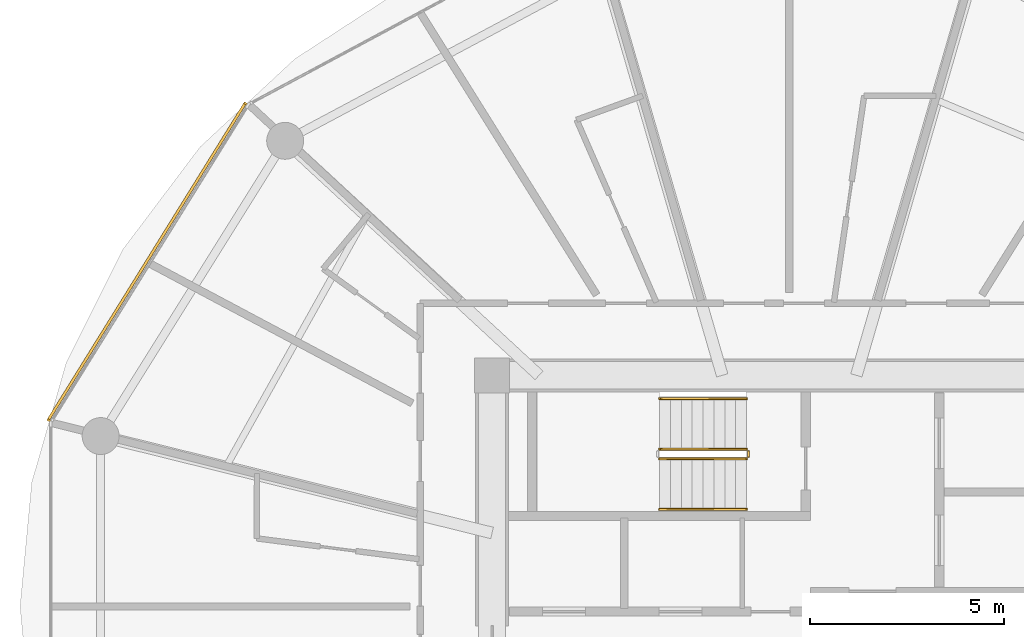
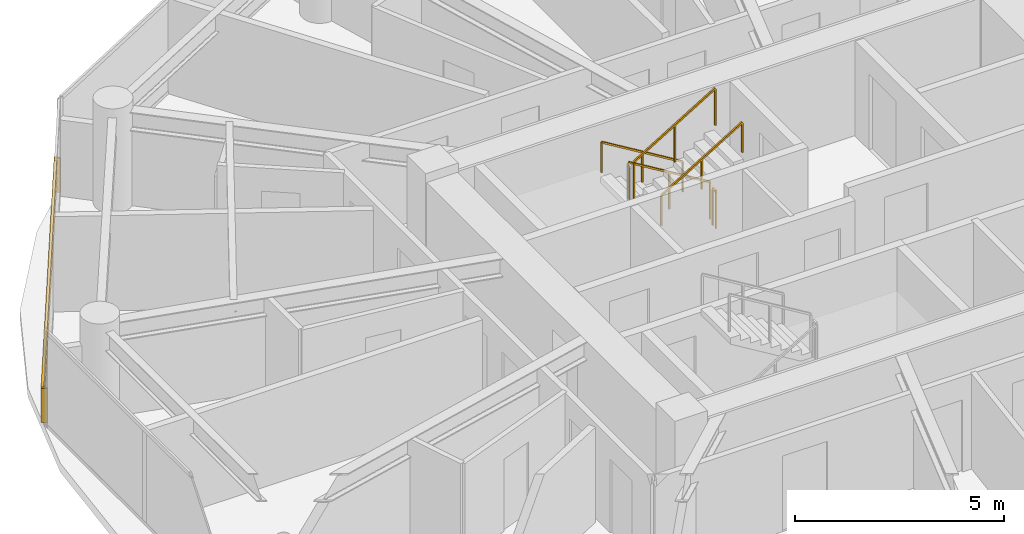
# One storey, part 24 of 27: 5 railings, 1 shading device.
"""IFC4 building model written with IfcOpenShell, lengths in metres."""

from ifc_helpers import new_model, si_unit, direction, frame, origin, origin_2d, place, context, subcontext, project, spatial, rectangle, extrude, source, transform, mapped, material, type_object, type_shapes, element, save


model = new_model("IFC4")

# Units and contexts
model_context = context("Model", 3, precision=1e-05, world=origin(), true_north=direction((0.0, 1.0)))
body_context = subcontext(model_context, "Body", "Model", "MODEL_VIEW")
ifc_project = project(units=[si_unit("LENGTHUNIT", "METRE"), si_unit("AREAUNIT", "SQUARE_METRE"), si_unit("VOLUMEUNIT", "CUBIC_METRE"), si_unit("PLANEANGLEUNIT", "RADIAN"), si_unit("MASSUNIT", "GRAM", prefix="KILO")], contexts=[model_context])

# Site, building, storey
site_placement = place(None, origin())
site = spatial("IfcSite", under=ifc_project, at=site_placement, CompositionType="ELEMENT")
building_placement = place(site_placement, origin())
building = spatial("IfcBuilding", under=site, at=building_placement, Name="Norrkilde Senior Care Towers", CompositionType="ELEMENT")
storey_placement = place(building_placement, frame((0.0, 0.0, 61.25)))
storey = spatial("IfcBuildingStorey", under=building, at=storey_placement, Name="L18", CompositionType="ELEMENT", Elevation=61.25)

# Railings
ifc_material_1 = material(Name="Stainless Steel", Category="steel")
railing_type_1 = type_object("IfcRailingType", Name="Stair and Terrace Guardrail 1100", PredefinedType="GUARDRAIL", material=ifc_material_1)
railing_1_placement = place(storey_placement, frame((-29.10009765625, 4.050048828125, 0.16943359375)))
element("IfcRailing", 1, at=railing_1_placement, inside=storey, type_object=railing_type_1, Name="L18 ST-W1 stair guard 1", PredefinedType="GUARDRAIL", context=body_context, shape_type="SweptSolid", body=[
    extrude(rectangle(XDim=0.048095703125, YDim=0.048095703125, at=origin_2d()), frame((0.0, 0.0, 1.076171875), z_axis=(-0.855553338991, 0.0, 0.51771467445), x_axis=(0.0, -1.0, 0.0)), (0.0, 0.0, 1.0), 2.6181640625),
    extrude(rectangle(XDim=0.0419921875, YDim=0.0419921875, at=origin_2d()), origin(), (0.0, 0.0, 1.0), 1.050048828125),
    extrude(rectangle(XDim=0.0419921875, YDim=0.0419921875, at=origin_2d()), frame((-1.1201171875, 0.0, 0.677734375)), (0.0, 0.0, 1.0), 1.050048828125),
    extrude(rectangle(XDim=0.0419921875, YDim=0.0419921875, at=origin_2d()), frame((-2.239990234375, 0.0, 1.35546875)), (0.0, 0.0, 1.0), 1.050048828125),
])
railing_2_placement = place(storey_placement, frame((-31.340087890625, 3.800048828125, 1.6943359375)))
element("IfcRailing", 2, at=railing_2_placement, inside=storey, type_object=railing_type_1, Name="L18 ST-W1 stair guard 3", PredefinedType="GUARDRAIL", context=body_context, shape_type="SweptSolid", body=[
    extrude(rectangle(XDim=0.048095703125, YDim=0.048095703125, at=origin_2d()), frame((0.0, 0.0, 1.076171875), z_axis=(0.855512035549, 0.0, 0.517782924622), x_axis=(0.0, 1.0, 0.0)), (0.0, 0.0, 1.0), 2.618408203125),
    extrude(rectangle(XDim=0.0419921875, YDim=0.0419921875, at=origin_2d()), origin(), (0.0, 0.0, 1.0), 1.050048828125),
    extrude(rectangle(XDim=0.0419921875, YDim=0.0419921875, at=origin_2d()), frame((1.1201171875, 0.0, 0.677734375)), (0.0, 0.0, 1.0), 1.050048828125),
    extrude(rectangle(XDim=0.0419921875, YDim=0.0419921875, at=origin_2d()), frame((2.239990234375, 0.0, 1.355712890625)), (0.0, 0.0, 1.0), 1.050048828125),
])
railing_3_placement = place(storey_placement, frame((-29.050048828125, 4.0, 0.0)))
element("IfcRailing", 3, at=railing_3_placement, inside=storey, type_object=railing_type_1, Name="L18 ST-W1 stair guard 4", PredefinedType="GUARDRAIL", context=body_context, shape_type="SweptSolid", body=[
    extrude(rectangle(XDim=0.048095703125, YDim=0.048095703125, at=origin_2d()), frame((0.0, 0.0, 1.076171875), z_axis=(0.0, -1.0, 0.0), x_axis=(1.0, 0.0, 0.0)), (0.0, 0.0, 1.0), 0.14990234375),
    extrude(rectangle(XDim=0.0419921875, YDim=0.0419921875, at=origin_2d()), origin(), (0.0, 0.0, 1.0), 1.050048828125),
    extrude(rectangle(XDim=0.0419921875, YDim=0.0419921875, at=origin_2d()), frame((0.0, -0.14990234375, 0.0)), (0.0, 0.0, 1.0), 1.050048828125),
])
ifc_material_2 = material(Name="Nordic Ash Timber", Category="wood")
railing_type_2 = type_object("IfcRailingType", Name="Wall and Stair Handrail 900", PredefinedType="HANDRAIL", material=ifc_material_2)
railing_4_placement = place(storey_placement, frame((-29.10009765625, 5.35009765625, 0.16943359375)))
element("IfcRailing", 4, at=railing_4_placement, inside=storey, type_object=railing_type_2, Name="L18 ST-W1 stair handrail 1", PredefinedType="HANDRAIL", context=body_context, shape_type="SweptSolid", body=[
    extrude(rectangle(XDim=0.048095703125, YDim=0.048095703125, at=origin_2d()), frame((0.0, 0.0, 0.8759765625), z_axis=(-0.855553338991, 0.0, 0.51771467445), x_axis=(0.0, -1.0, 0.0)), (0.0, 0.0, 1.0), 2.6181640625),
    extrude(rectangle(XDim=0.0419921875, YDim=0.0419921875, at=origin_2d()), origin(), (0.0, 0.0, 1.0), 0.849853515625),
    extrude(rectangle(XDim=0.0419921875, YDim=0.0419921875, at=origin_2d()), frame((-1.1201171875, 0.0, 0.677734375)), (0.0, 0.0, 1.0), 0.849853515625),
    extrude(rectangle(XDim=0.0419921875, YDim=0.0419921875, at=origin_2d()), frame((-2.239990234375, 0.0, 1.35546875)), (0.0, 0.0, 1.0), 0.849853515625),
])
railing_5_placement = place(storey_placement, frame((-31.340087890625, 2.5, 1.6943359375)))
element("IfcRailing", 5, at=railing_5_placement, inside=storey, type_object=railing_type_2, Name="L18 ST-W1 stair handrail 2", PredefinedType="HANDRAIL", context=body_context, shape_type="SweptSolid", body=[
    extrude(rectangle(XDim=0.048095703125, YDim=0.048095703125, at=origin_2d()), frame((0.0, 0.0, 0.8759765625), z_axis=(0.855512035549, 0.0, 0.517782924622), x_axis=(0.0, 1.0, 0.0)), (0.0, 0.0, 1.0), 2.618408203125),
    extrude(rectangle(XDim=0.0419921875, YDim=0.0419921875, at=origin_2d()), origin(), (0.0, 0.0, 1.0), 0.849853515625),
    extrude(rectangle(XDim=0.0419921875, YDim=0.0419921875, at=origin_2d()), frame((1.1201171875, 0.0, 0.677734375)), (0.0, 0.0, 1.0), 0.849853515625),
    extrude(rectangle(XDim=0.0419921875, YDim=0.0419921875, at=origin_2d()), frame((2.239990234375, 0.0, 1.355712890625)), (0.0, 0.0, 1.0), 0.849853515625),
])

# Shading device
ifc_material_3 = material(Name="Architectural Terracotta", Category="masonry")
shading_device_type = type_object("IfcShadingDeviceType", Name="Horizontal Terracotta Baguette Rack", PredefinedType="USERDEFINED", material=ifc_material_3)
shared_shape = source(origin(), body_context, "Body", "SweptSolid", [
    extrude(rectangle(XDim=0.070068359375, YDim=0.110107421875, at=origin_2d()), frame((0.0, 0.090087890625, 0.125), z_axis=(1.0, 0.0, 0.0), x_axis=(0.0, 1.0, 0.0)), (0.0, 0.0, 1.0), 9.64892578125),
    extrude(rectangle(XDim=0.070068359375, YDim=0.110107421875, at=origin_2d()), frame((0.0, 0.090087890625, 0.375), z_axis=(1.0, 0.0, 0.0), x_axis=(0.0, 1.0, 0.0)), (0.0, 0.0, 1.0), 9.64892578125),
    extrude(rectangle(XDim=0.070068359375, YDim=0.110107421875, at=origin_2d()), frame((0.0, 0.090087890625, 0.625), z_axis=(1.0, 0.0, 0.0), x_axis=(0.0, 1.0, 0.0)), (0.0, 0.0, 1.0), 9.64892578125),
    extrude(rectangle(XDim=0.070068359375, YDim=0.110107421875, at=origin_2d()), frame((0.0, 0.090087890625, 0.875), z_axis=(1.0, 0.0, 0.0), x_axis=(0.0, 1.0, 0.0)), (0.0, 0.0, 1.0), 9.64892578125),
    extrude(rectangle(XDim=0.050048828125, YDim=0.1552734375, at=origin_2d()), frame((0.02490234375, 0.047607421875, 0.0)), (0.0, 0.0, 1.0), 1.0),
    extrude(rectangle(XDim=0.050048828125, YDim=0.1552734375, at=origin_2d()), frame((9.6240234375, 0.047607421875, 0.0)), (0.0, 0.0, 1.0), 1.0),
])
type_shapes(shading_device_type, [shared_shape])
shading_device_placement = place(storey_placement, frame((-47.009521484375, 4.731201171875, 0.080078125), z_axis=(0.0, 0.0, 1.0), x_axis=(0.527908506655, 0.849299124538, 0.0)))
element("IfcShadingDevice", 6, at=shading_device_placement, inside=storey, type_object=shading_device_type, Name="L18 Drum W Terracotta Baguette Screen 04", ObjectType="BAGUETTE", PredefinedType="USERDEFINED", context=body_context, shape_type="MappedRepresentation", body=[
    mapped(shared_shape, transform((0.0, 0.0, 0.0), x_axis=(1.0, 0.0, 0.0), y_axis=(0.0, 1.0, 0.0), z_axis=(0.0, 0.0, 1.0), scale=1.0)),
])

save(model, "model.ifc")
